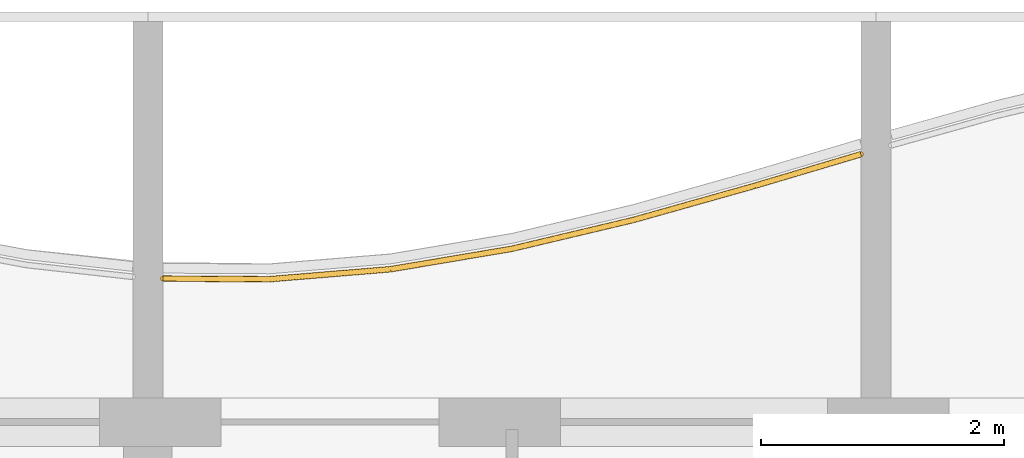
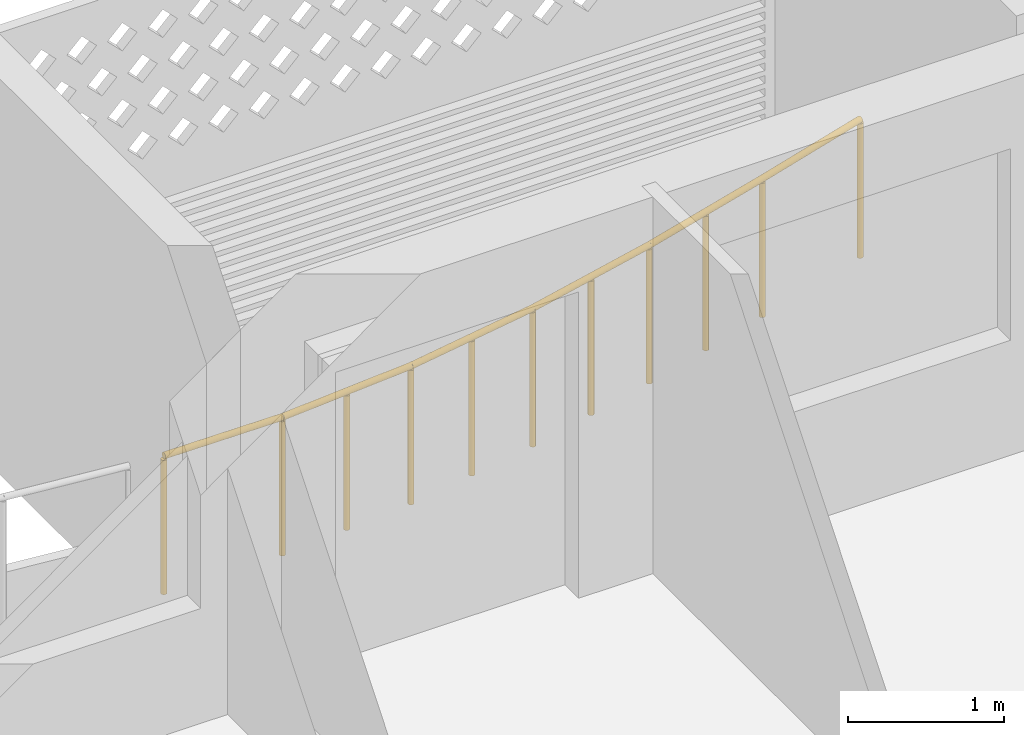
# One storey, part 33 of 39: 1 railing.
"""IFC4 building model written with IfcOpenShell, lengths in metres."""

from ifc_helpers import new_model, si_unit, direction, frame, origin, origin_2d, place, context, subcontext, project, spatial, circle, extrude, material, type_object, element, save


model = new_model("IFC4")

# Units and contexts
model_context = context("Model", 3, precision=1e-05, world=origin(), true_north=direction((0.0, 1.0)))
body_context = subcontext(model_context, "Body", "Model", "MODEL_VIEW")
ifc_project = project(units=[si_unit("LENGTHUNIT", "METRE"), si_unit("AREAUNIT", "SQUARE_METRE"), si_unit("VOLUMEUNIT", "CUBIC_METRE"), si_unit("PLANEANGLEUNIT", "RADIAN"), si_unit("MASSUNIT", "GRAM", prefix="KILO")], contexts=[model_context])

# Site, building, storey
site_placement = place(None, origin())
site = spatial("IfcSite", under=ifc_project, at=site_placement, CompositionType="ELEMENT")
building_placement = place(site_placement, origin())
building = spatial("IfcBuilding", under=site, at=building_placement, Name="Poui Terraces", CompositionType="ELEMENT")
storey_placement = place(building_placement, frame((0.0, 0.0, 63.0)))
storey = spatial("IfcBuildingStorey", under=building, at=storey_placement, Name="L17", CompositionType="ELEMENT", Elevation=63.0)

# Railing
ifc_material = material(Name="Painted steel fretwork", Category="steel")
railing_type = type_object("IfcRailingType", Name="BALCONY GUARD 1100", PredefinedType="GUARDRAIL", material=ifc_material)
railing_placement = place(storey_placement, frame((66.125, 45.98193359375, 0.0)))
element("IfcRailing", 1, at=railing_placement, inside=storey, type_object=railing_type, Name="BALCONY GUARD", PredefinedType="GUARDRAIL", context=body_context, shape_type="SweptSolid", body=[
    extrude(circle(Radius=0.02392578125, at=origin_2d()), frame((0.0, 0.0, 1.076171875), z_axis=(0.999982834304, -0.00585927442, 0.0), x_axis=(0.00585927442, 0.999982834304, 0.0)), (0.0, 0.0, 1.0), 0.875),
    extrude(circle(Radius=0.02392578125, at=origin_2d()), frame((0.875, -0.005126953125, 1.076171875), z_axis=(0.99661255374, 0.082240000773, 0.0), x_axis=(-0.082240000773, 0.99661255374, 0.0)), (0.0, 0.0, 1.0), 1.00341796875),
    extrude(circle(Radius=0.02392578125, at=origin_2d()), frame((1.875, 0.077392578125, 1.076171875), z_axis=(0.986106132513, 0.166116511581, 0.0), x_axis=(-0.166116511581, 0.986106132513, 0.0)), (0.0, 0.0, 1.0), 1.01416015625),
    extrude(circle(Radius=0.02392578125, at=origin_2d()), frame((2.875, 0.245849609375, 1.076171875), z_axis=(0.972979257535, 0.230892538653, 0.0), x_axis=(-0.230892538653, 0.972979257535, 0.0)), (0.0, 0.0, 1.0), 1.02783203125),
    extrude(circle(Radius=0.02392578125, at=origin_2d()), frame((3.875, 0.483154296875, 1.076171875), z_axis=(0.962589664763, 0.270963350457, 0.0), x_axis=(-0.270963350457, 0.962589664763, 0.0)), (0.0, 0.0, 1.0), 1.038818359375),
    extrude(circle(Radius=0.02392578125, at=origin_2d()), frame((4.875, 0.7646484375, 1.076171875), z_axis=(0.958573864065, 0.28484407512, 0.0), x_axis=(-0.28484407512, 0.958573864065, 0.0)), (0.0, 0.0, 1.0), 0.912841796875),
    extrude(circle(Radius=0.02099609375, at=origin_2d()), origin(), (0.0, 0.0, 1.0), 1.052001953125),
    extrude(circle(Radius=0.02099609375, at=origin_2d()), frame((0.875, -0.005126953125, 0.0)), (0.0, 0.0, 1.0), 1.052001953125),
    extrude(circle(Radius=0.02099609375, at=origin_2d()), frame((1.375, 0.0361328125, 0.0)), (0.0, 0.0, 1.0), 1.052001953125),
    extrude(circle(Radius=0.02099609375, at=origin_2d()), frame((1.875, 0.077392578125, 0.0)), (0.0, 0.0, 1.0), 1.052001953125),
    extrude(circle(Radius=0.02099609375, at=origin_2d()), frame((2.375, 0.16162109375, 0.0)), (0.0, 0.0, 1.0), 1.052001953125),
    extrude(circle(Radius=0.02099609375, at=origin_2d()), frame((2.875, 0.245849609375, 0.0)), (0.0, 0.0, 1.0), 1.052001953125),
    extrude(circle(Radius=0.02099609375, at=origin_2d()), frame((3.375, 0.364501953125, 0.0)), (0.0, 0.0, 1.0), 1.052001953125),
    extrude(circle(Radius=0.02099609375, at=origin_2d()), frame((3.875, 0.483154296875, 0.0)), (0.0, 0.0, 1.0), 1.052001953125),
    extrude(circle(Radius=0.02099609375, at=origin_2d()), frame((4.375, 0.6240234375, 0.0)), (0.0, 0.0, 1.0), 1.052001953125),
    extrude(circle(Radius=0.02099609375, at=origin_2d()), frame((4.875, 0.7646484375, 0.0)), (0.0, 0.0, 1.0), 1.052001953125),
    extrude(circle(Radius=0.02099609375, at=origin_2d()), frame((5.75, 1.024658203125, 0.0)), (0.0, 0.0, 1.0), 1.052001953125),
])

save(model, "model.ifc")
